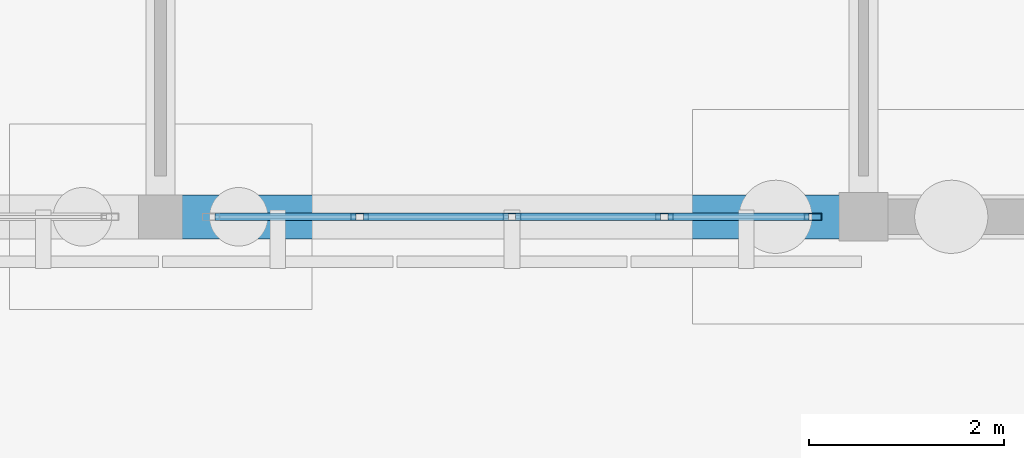
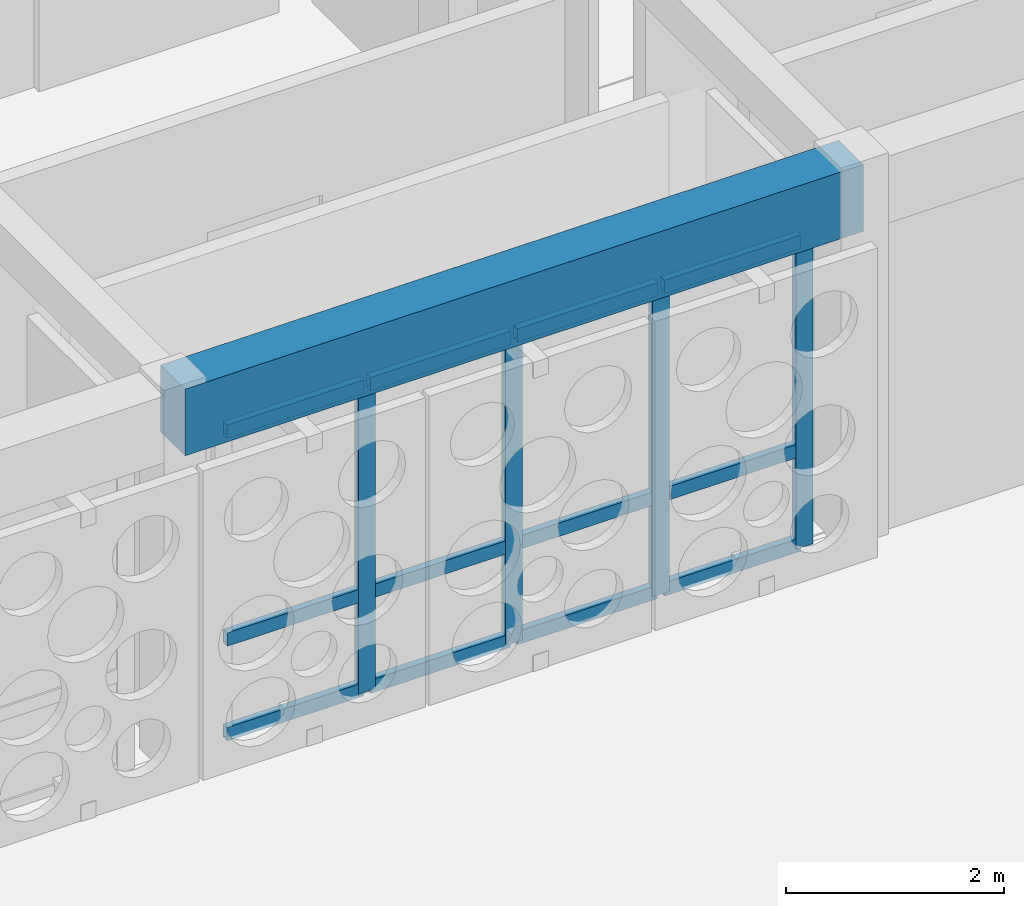
# One storey, part 19 of 111: 16 members, 1 beam, 1 element without a shape of its own.
"""IFC4 building model written with IfcOpenShell, lengths in metres."""

from ifc_helpers import new_model, si_unit, direction, frame, origin, origin_2d, place, context, subcontext, project, spatial, rectangle, hollow_rectangle, extrude, material, material_profile, profile_set, type_object, element, aggregate, save


model = new_model("IFC4")

# Units and contexts
model_context = context("Model", 3, precision=1e-05, world=origin(), true_north=direction((0.0, 1.0)))
body_context = subcontext(model_context, "Body", "Model", "MODEL_VIEW")
ifc_project = project(units=[si_unit("LENGTHUNIT", "METRE"), si_unit("AREAUNIT", "SQUARE_METRE"), si_unit("VOLUMEUNIT", "CUBIC_METRE"), si_unit("PLANEANGLEUNIT", "RADIAN"), si_unit("MASSUNIT", "GRAM", prefix="KILO")], contexts=[model_context])

# Site, building, storey
site_placement = place(None, origin())
site = spatial("IfcSite", under=ifc_project, at=site_placement, CompositionType="ELEMENT")
building_placement = place(site_placement, origin())
building = spatial("IfcBuilding", under=site, at=building_placement, Name="Aldebral Square Health Centre", CompositionType="ELEMENT")
storey_placement = place(building_placement, origin())
storey = spatial("IfcBuildingStorey", under=building, at=storey_placement, Name="L00", CompositionType="ELEMENT", Elevation=0.0)

# Beam
ifc_material_1 = material(Name="Concrete C40/50", Category="concrete")
ifc_material_profile_1 = material_profile(ifc_material_1, rectangle(XDim=0.449951171875, YDim=0.75, at=origin_2d()), Name="RC 450x750")
ifc_profile_set_1 = profile_set([ifc_material_profile_1], Name="Concrete C40/50")
beam_type = type_object("IfcBeamType", Name="BM-G2", PredefinedType="T_BEAM", material=ifc_profile_set_1)
beam_placement = place(storey_placement, frame((86.39990234375, 79.199951171875, 3.844970703125), z_axis=(1.0, 0.0, 0.0), x_axis=(0.0, 1.0, 0.0)))
element("IfcBeam", 1, at=beam_placement, inside=storey, type_object=beam_type, Name="L00 X-beam 13-14/G12", PredefinedType="T_BEAM", context=body_context, shape_type="SweptSolid", body=[
    extrude(rectangle(XDim=0.449951171875, YDim=0.75, at=origin_2d()), origin(), (0.0, 0.0, 1.0), 7.2001953125),
])

# Curtain wall, members
ifc_material_2 = material(Name="Aluminium and low-E solar glass", Category="aluminium")
curtain_wall_type = type_object("IfcCurtainWallType", Name="CW-HALL-SYS", PredefinedType="USERDEFINED", material=ifc_material_2)
curtain_wall_placement = place(storey_placement, origin())
curtain_wall = element("IfcCurtainWall", 2, at=curtain_wall_placement, inside=storey, type_object=curtain_wall_type, Name="L00 V1 hall curtain wall L00-V1-12-11-S", ObjectType="HALL_CURTAIN_WALL", PredefinedType="USERDEFINED")
ifc_material_3 = material(Name="Anodised aluminium mullion", Category="aluminium")
ifc_material_profile_2 = material_profile(ifc_material_3, hollow_rectangle(XDim=0.074951171875, YDim=0.179931640625, WallThickness=0.00390625, at=origin_2d()), Name="CWM 75x180x4")
ifc_profile_set_2 = profile_set([ifc_material_profile_2], Name="Anodised aluminium mullion")
member_type_1 = type_object("IfcMemberType", Name="CWM-STD", PredefinedType="MULLION", material=ifc_profile_set_2)
member_1_placement = place(storey_placement, frame((88.43994140625, 79.199951171875, 0.0), z_axis=(0.0, 0.0, 1.0), x_axis=(0.0, 1.0, 0.0)))
member_1 = element("IfcMember", 3, at=member_1_placement, type_object=member_type_1, Name="CW2 mullion 2", PredefinedType="MULLION", context=body_context, shape_type="SweptSolid", body=[
    extrude(hollow_rectangle(XDim=0.074951171875, YDim=0.179931640625, WallThickness=0.00390625, at=origin_2d()), origin(), (0.0, 0.0, 1.0), 3.469970703125),
])
member_2_placement = place(storey_placement, frame((90.0, 79.199951171875, 0.0), z_axis=(0.0, 0.0, 1.0), x_axis=(0.0, 1.0, 0.0)))
member_2 = element("IfcMember", 4, at=member_2_placement, type_object=member_type_1, Name="CW2 mullion 3", PredefinedType="MULLION", context=body_context, shape_type="SweptSolid", body=[
    extrude(hollow_rectangle(XDim=0.074951171875, YDim=0.179931640625, WallThickness=0.00390625, at=origin_2d()), origin(), (0.0, 0.0, 1.0), 3.469970703125),
])
member_3_placement = place(storey_placement, frame((91.56005859375, 79.199951171875, 0.0), z_axis=(0.0, 0.0, 1.0), x_axis=(0.0, 1.0, 0.0)))
member_3 = element("IfcMember", 5, at=member_3_placement, type_object=member_type_1, Name="CW2 mullion 4", PredefinedType="MULLION", context=body_context, shape_type="SweptSolid", body=[
    extrude(hollow_rectangle(XDim=0.074951171875, YDim=0.179931640625, WallThickness=0.00390625, at=origin_2d()), origin(), (0.0, 0.0, 1.0), 3.469970703125),
])
member_4_placement = place(storey_placement, frame((93.08251953125, 79.199951171875, 0.0), z_axis=(0.0, 0.0, 1.0), x_axis=(0.0, 1.0, 0.0)))
member_4 = element("IfcMember", 6, at=member_4_placement, type_object=member_type_1, Name="CW2 mullion 5", PredefinedType="MULLION", context=body_context, shape_type="SweptSolid", body=[
    extrude(hollow_rectangle(XDim=0.074951171875, YDim=0.179931640625, WallThickness=0.00390625, at=origin_2d()), origin(), (0.0, 0.0, 1.0), 3.469970703125),
])
ifc_material_4 = material(Name="Anodised aluminium transom", Category="aluminium")
ifc_material_profile_3 = material_profile(ifc_material_4, hollow_rectangle(XDim=0.074951171875, YDim=0.14990234375, WallThickness=0.00390625, at=origin_2d()), Name="CWT 75x150x4")
ifc_profile_set_3 = profile_set([ifc_material_profile_3], Name="Anodised aluminium transom")
member_type_2 = type_object("IfcMemberType", Name="CWT-STD", PredefinedType="USERDEFINED", material=ifc_profile_set_3)
member_5_placement = place(storey_placement, frame((86.955078125, 79.199951171875, 0.03759765625), z_axis=(1.0, 0.0, 0.0), x_axis=(0.0, 1.0, 0.0)))
member_5 = element("IfcMember", 7, at=member_5_placement, type_object=member_type_2, Name="CW2 transom 1.1", ObjectType="TRANSOM", PredefinedType="USERDEFINED", context=body_context, shape_type="SweptSolid", body=[
    extrude(hollow_rectangle(XDim=0.074951171875, YDim=0.14990234375, WallThickness=0.00390625, at=origin_2d()), origin(), (0.0, 0.0, 1.0), 1.447509765625),
])
member_6_placement = place(storey_placement, frame((86.955078125, 79.199951171875, 1.10009765625), z_axis=(1.0, 0.0, 0.0), x_axis=(0.0, 1.0, 0.0)))
member_6 = element("IfcMember", 8, at=member_6_placement, type_object=member_type_2, Name="CW2 transom 1.2", ObjectType="TRANSOM", PredefinedType="USERDEFINED", context=body_context, shape_type="SweptSolid", body=[
    extrude(hollow_rectangle(XDim=0.074951171875, YDim=0.14990234375, WallThickness=0.00390625, at=origin_2d()), origin(), (0.0, 0.0, 1.0), 1.447509765625),
])
member_7_placement = place(storey_placement, frame((86.955078125, 79.199951171875, 3.4326171875), z_axis=(1.0, 0.0, 0.0), x_axis=(0.0, 1.0, 0.0)))
member_7 = element("IfcMember", 9, at=member_7_placement, type_object=member_type_2, Name="CW2 transom 1.3", ObjectType="TRANSOM", PredefinedType="USERDEFINED", context=body_context, shape_type="SweptSolid", body=[
    extrude(hollow_rectangle(XDim=0.074951171875, YDim=0.14990234375, WallThickness=0.00390625, at=origin_2d()), origin(), (0.0, 0.0, 1.0), 1.447509765625),
])
member_8_placement = place(storey_placement, frame((88.4775390625, 79.199951171875, 0.03759765625), z_axis=(1.0, 0.0, 0.0), x_axis=(0.0, 1.0, 0.0)))
member_8 = element("IfcMember", 10, at=member_8_placement, type_object=member_type_2, Name="CW2 transom 2.1", ObjectType="TRANSOM", PredefinedType="USERDEFINED", context=body_context, shape_type="SweptSolid", body=[
    extrude(hollow_rectangle(XDim=0.074951171875, YDim=0.14990234375, WallThickness=0.00390625, at=origin_2d()), origin(), (0.0, 0.0, 1.0), 1.48486328125),
])
member_9_placement = place(storey_placement, frame((88.4775390625, 79.199951171875, 1.10009765625), z_axis=(1.0, 0.0, 0.0), x_axis=(0.0, 1.0, 0.0)))
member_9 = element("IfcMember", 11, at=member_9_placement, type_object=member_type_2, Name="CW2 transom 2.2", ObjectType="TRANSOM", PredefinedType="USERDEFINED", context=body_context, shape_type="SweptSolid", body=[
    extrude(hollow_rectangle(XDim=0.074951171875, YDim=0.14990234375, WallThickness=0.00390625, at=origin_2d()), origin(), (0.0, 0.0, 1.0), 1.48486328125),
])
member_10_placement = place(storey_placement, frame((88.4775390625, 79.199951171875, 3.4326171875), z_axis=(1.0, 0.0, 0.0), x_axis=(0.0, 1.0, 0.0)))
member_10 = element("IfcMember", 12, at=member_10_placement, type_object=member_type_2, Name="CW2 transom 2.3", ObjectType="TRANSOM", PredefinedType="USERDEFINED", context=body_context, shape_type="SweptSolid", body=[
    extrude(hollow_rectangle(XDim=0.074951171875, YDim=0.14990234375, WallThickness=0.00390625, at=origin_2d()), origin(), (0.0, 0.0, 1.0), 1.48486328125),
])
member_11_placement = place(storey_placement, frame((90.03759765625, 79.199951171875, 0.03759765625), z_axis=(1.0, 0.0, 0.0), x_axis=(0.0, 1.0, 0.0)))
member_11 = element("IfcMember", 13, at=member_11_placement, type_object=member_type_2, Name="CW2 transom 3.1", ObjectType="TRANSOM", PredefinedType="USERDEFINED", context=body_context, shape_type="SweptSolid", body=[
    extrude(hollow_rectangle(XDim=0.074951171875, YDim=0.14990234375, WallThickness=0.00390625, at=origin_2d()), origin(), (0.0, 0.0, 1.0), 1.48486328125),
])
member_12_placement = place(storey_placement, frame((90.03759765625, 79.199951171875, 1.10009765625), z_axis=(1.0, 0.0, 0.0), x_axis=(0.0, 1.0, 0.0)))
member_12 = element("IfcMember", 14, at=member_12_placement, type_object=member_type_2, Name="CW2 transom 3.2", ObjectType="TRANSOM", PredefinedType="USERDEFINED", context=body_context, shape_type="SweptSolid", body=[
    extrude(hollow_rectangle(XDim=0.074951171875, YDim=0.14990234375, WallThickness=0.00390625, at=origin_2d()), origin(), (0.0, 0.0, 1.0), 1.48486328125),
])
member_13_placement = place(storey_placement, frame((90.03759765625, 79.199951171875, 3.4326171875), z_axis=(1.0, 0.0, 0.0), x_axis=(0.0, 1.0, 0.0)))
member_13 = element("IfcMember", 15, at=member_13_placement, type_object=member_type_2, Name="CW2 transom 3.3", ObjectType="TRANSOM", PredefinedType="USERDEFINED", context=body_context, shape_type="SweptSolid", body=[
    extrude(hollow_rectangle(XDim=0.074951171875, YDim=0.14990234375, WallThickness=0.00390625, at=origin_2d()), origin(), (0.0, 0.0, 1.0), 1.48486328125),
])
member_14_placement = place(storey_placement, frame((91.597412109375, 79.199951171875, 0.03759765625), z_axis=(1.0, 0.0, 0.0), x_axis=(0.0, 1.0, 0.0)))
member_14 = element("IfcMember", 16, at=member_14_placement, type_object=member_type_2, Name="CW2 transom 4.1", ObjectType="TRANSOM", PredefinedType="USERDEFINED", context=body_context, shape_type="SweptSolid", body=[
    extrude(hollow_rectangle(XDim=0.074951171875, YDim=0.14990234375, WallThickness=0.00390625, at=origin_2d()), origin(), (0.0, 0.0, 1.0), 1.447509765625),
])
member_15_placement = place(storey_placement, frame((91.597412109375, 79.199951171875, 1.10009765625), z_axis=(1.0, 0.0, 0.0), x_axis=(0.0, 1.0, 0.0)))
member_15 = element("IfcMember", 17, at=member_15_placement, type_object=member_type_2, Name="CW2 transom 4.2", ObjectType="TRANSOM", PredefinedType="USERDEFINED", context=body_context, shape_type="SweptSolid", body=[
    extrude(hollow_rectangle(XDim=0.074951171875, YDim=0.14990234375, WallThickness=0.00390625, at=origin_2d()), origin(), (0.0, 0.0, 1.0), 1.447509765625),
])
member_16_placement = place(storey_placement, frame((91.597412109375, 79.199951171875, 3.4326171875), z_axis=(1.0, 0.0, 0.0), x_axis=(0.0, 1.0, 0.0)))
member_16 = element("IfcMember", 18, at=member_16_placement, type_object=member_type_2, Name="CW2 transom 4.3", ObjectType="TRANSOM", PredefinedType="USERDEFINED", context=body_context, shape_type="SweptSolid", body=[
    extrude(hollow_rectangle(XDim=0.074951171875, YDim=0.14990234375, WallThickness=0.00390625, at=origin_2d()), origin(), (0.0, 0.0, 1.0), 1.447509765625),
])
aggregate(curtain_wall, [member_1, member_2, member_3, member_4, member_5, member_6, member_7, member_8, member_9, member_10, member_11, member_12, member_13, member_14, member_15, member_16])

save(model, "model.ifc")
